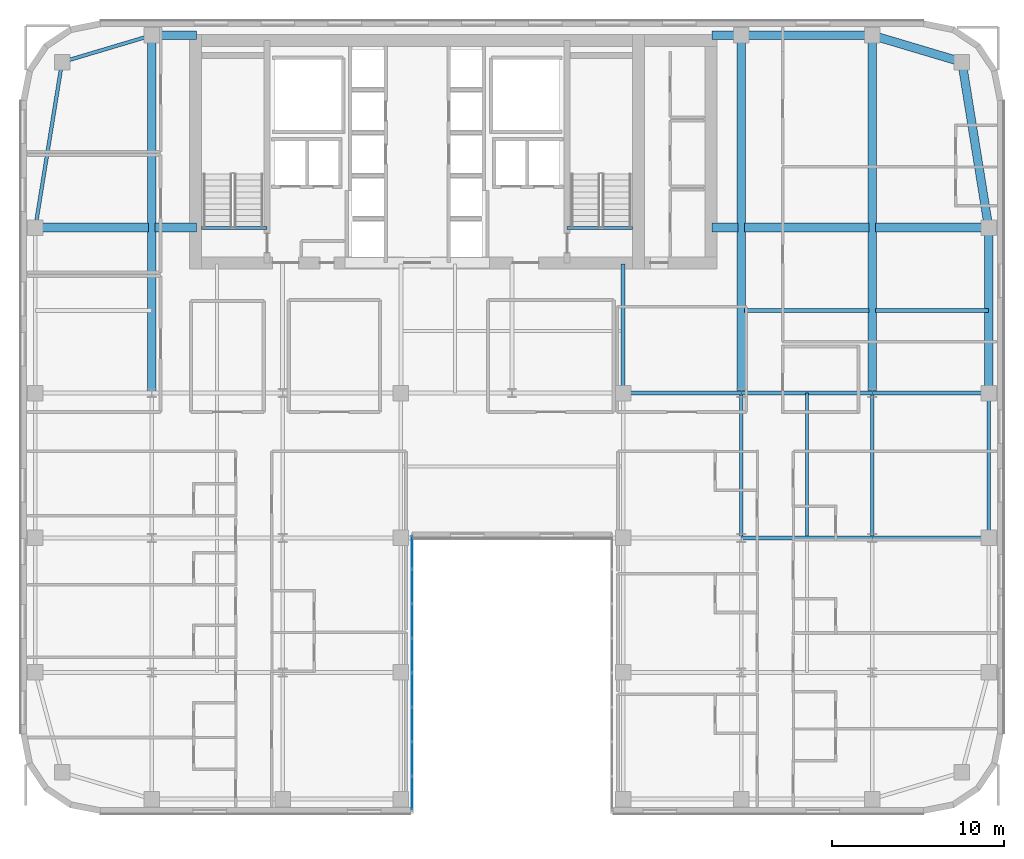
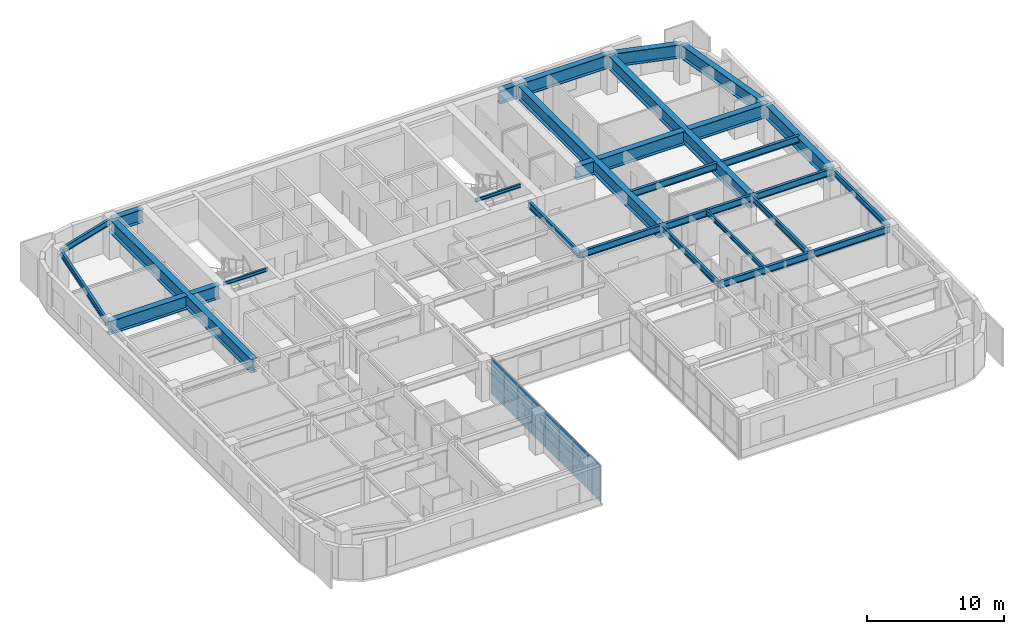
# One storey, part 12 of 25: 30 beams, 16 plates, 1 element without a shape of its own.
"""IFC4 building model written with IfcOpenShell, lengths in metres."""

import ifcopenshell
import ifcopenshell.guid

model = None  # the IFC model being written
_history = None  # IfcOwnerHistory: only IFC2X3 demands one
_inside = {}  # id of a spatial element -> (the spatial element, [elements in it])
_under = {}  # id of a project, library or spatial element -> (it, [spatial elements below it])
_declared = {}  # id of a project -> (the project, [libraries it declares])
_typed = {}  # id of a type object -> (the type object, [elements of that type])
_made_of = {}  # id of a material, layer set ... -> (it, [elements and type objects made of it])


def new_model(schema):
    """Start an empty IFC model of exactly this schema.

    Asked for "IFC4X3", IfcOpenShell would pick the latest addendum, in which some entities
    have other attributes; the version numbers below select the first issue.
    IFC2X3 requires an IfcOwnerHistory on every rooted entity: one is made here for all.
    """
    global model, _history
    if schema == "IFC4X3":
        model = ifcopenshell.file(schema_version=(4, 3, 0, 0))
    else:
        model = ifcopenshell.file(schema=schema)
    _inside.clear()
    _under.clear()
    _declared.clear()
    _typed.clear()
    _made_of.clear()
    _history = None
    if model.schema == "IFC2X3":
        org = make("IfcOrganization", Name="unknown")
        user = make(
            "IfcPersonAndOrganization",
            ThePerson=make("IfcPerson", FamilyName="unknown"),
            TheOrganization=org,
        )
        app = make(
            "IfcApplication",
            ApplicationDeveloper=org,
            Version="unknown",
            ApplicationFullName="unknown",
            ApplicationIdentifier="unknown",
        )
        _history = make(
            "IfcOwnerHistory",
            OwningUser=user,
            OwningApplication=app,
            ChangeAction="ADDED",
            CreationDate=0,
        )
    return model


def make(cls, **values):
    """One entity of the class cls with the attributes given. An attribute that is None is left unset."""
    return model.create_entity(
        cls, **{name: value for name, value in values.items() if value is not None}
    )


def rooted(cls, **values):
    """An entity with a GlobalId (a new one), such as an element, a storey or a relation."""
    return make(cls, GlobalId=ifcopenshell.guid.new(), OwnerHistory=_history, **values)


def si_unit(unit_type, name, prefix=None):
    """IfcSIUnit, for example si_unit("LENGTHUNIT", "METRE", prefix="MILLI")."""
    return make("IfcSIUnit", UnitType=unit_type, Prefix=prefix, Name=name)


def assignment(units):
    """IfcUnitAssignment: the units of a project."""
    return None if units is None else make("IfcUnitAssignment", Units=units)


def point(xyz):
    """IfcCartesianPoint."""
    return None if xyz is None else make("IfcCartesianPoint", Coordinates=xyz)


def direction(xyz):
    """IfcDirection."""
    return None if xyz is None else make("IfcDirection", DirectionRatios=xyz)


def frame(location, z_axis=None, x_axis=None):
    """IfcAxis2Placement3D, a coordinate frame: its origin and axes. An axis left out is left unset."""
    return make(
        "IfcAxis2Placement3D",
        Location=point(location),
        Axis=direction(z_axis),
        RefDirection=direction(x_axis),
    )


def frame_2d(location, x_axis=None):
    """IfcAxis2Placement2D, a coordinate frame in the plane: its origin and x axis."""
    return make(
        "IfcAxis2Placement2D", Location=point(location), RefDirection=direction(x_axis)
    )


def origin():
    """The frame at (0, 0, 0) with its axes left unset."""
    return frame((0.0, 0.0, 0.0))


def origin_2d():
    """The frame at (0, 0) in the plane with its x axis left unset."""
    return frame_2d((0.0, 0.0))


def place(relative_to, where):
    """IfcLocalPlacement: puts the frame where relative to a parent placement (None: the world)."""
    return make(
        "IfcLocalPlacement", PlacementRelTo=relative_to, RelativePlacement=where
    )


def context(
    kind, dimensions, precision=None, world=None, true_north=None, identifier=None
):
    """IfcGeometricRepresentationContext, for example the 3D "Model" context."""
    return make(
        "IfcGeometricRepresentationContext",
        ContextIdentifier=identifier,
        ContextType=kind,
        CoordinateSpaceDimension=dimensions,
        Precision=precision,
        WorldCoordinateSystem=world,
        TrueNorth=true_north,
    )


def subcontext(parent, identifier, kind, view, scale=None):
    """IfcGeometricRepresentationSubContext, for example "Body" below "Model"."""
    return make(
        "IfcGeometricRepresentationSubContext",
        ContextIdentifier=identifier,
        ContextType=kind,
        ParentContext=parent,
        TargetScale=scale,
        TargetView=view,
    )


def project(units=None, contexts=None):
    """IfcProject with its units and contexts."""
    return rooted(
        "IfcProject",
        Name="project",
        RepresentationContexts=contexts,
        UnitsInContext=assignment(units),
    )


def spatial(cls, under=None, at=None, **own):
    """A site, building, storey or space (cls), placed at a placement, below another one or the project."""
    s = rooted(cls, ObjectPlacement=at, **own)
    if under is not None:
        _under.setdefault(under.id(), (under, []))[1].append(s)
    return s


def profile(cls, at=None, kind="AREA", **sizes):
    """A parametric profile (cls). Its sizes go by their IFC names, for example OverallWidth=200.0."""
    return make(cls, ProfileType=kind, Position=at, **sizes)


def rectangle(**sizes):
    """IfcRectangleProfileDef."""
    return profile("IfcRectangleProfileDef", **sizes)


def i_section(**sizes):
    """IfcIShapeProfileDef."""
    return profile("IfcIShapeProfileDef", **sizes)


def extrude(swept, where, along, depth):
    """IfcExtrudedAreaSolid: the profile swept, set in the frame where, extruded along a direction by depth."""
    return make(
        "IfcExtrudedAreaSolid",
        SweptArea=swept,
        Position=where,
        ExtrudedDirection=direction(along),
        Depth=depth,
    )


def shape(context_of_items, identifier, shape_type, items):
    """IfcShapeRepresentation: the items that make up one representation, for example the "Body"."""
    return make(
        "IfcShapeRepresentation",
        ContextOfItems=context_of_items,
        RepresentationIdentifier=identifier,
        RepresentationType=shape_type,
        Items=items,
    )


def source(mapping_origin, context_of_items, identifier, shape_type, items):
    """IfcRepresentationMap: a shape defined once, which mapped items show again and again."""
    return make(
        "IfcRepresentationMap",
        MappingOrigin=mapping_origin,
        MappedRepresentation=shape(context_of_items, identifier, shape_type, items),
    )


def transform(
    local_origin,
    x_axis=None,
    y_axis=None,
    z_axis=None,
    scale=None,
    scale2=None,
    scale3=None,
    uniform=True,
):
    """IfcCartesianTransformationOperator3D, or its non-uniform kind. x_axis, y_axis, z_axis: its Axis1, 2, 3."""
    if uniform:
        return make(
            "IfcCartesianTransformationOperator3D",
            Axis1=direction(x_axis),
            Axis2=direction(y_axis),
            LocalOrigin=point(local_origin),
            Scale=scale,
            Axis3=direction(z_axis),
        )
    return make(
        "IfcCartesianTransformationOperator3DnonUniform",
        Axis1=direction(x_axis),
        Axis2=direction(y_axis),
        LocalOrigin=point(local_origin),
        Scale=scale,
        Axis3=direction(z_axis),
        Scale2=scale2,
        Scale3=scale3,
    )


def mapped(mapping_source, mapping_target):
    """IfcMappedItem: shows the shape of a source again, moved by a transform."""
    return make(
        "IfcMappedItem", MappingSource=mapping_source, MappingTarget=mapping_target
    )


def material(Name=None, Category=None):
    """IfcMaterial."""
    return make("IfcMaterial", Name=Name, Category=Category)


def layer(
    of_material, thickness, ventilated=None, Name=None, Category=None, Priority=None
):
    """IfcMaterialLayer: one layer of a wall or slab, of a material (None: an air gap)."""
    return make(
        "IfcMaterialLayer",
        Material=of_material,
        LayerThickness=thickness,
        IsVentilated=ventilated,
        Name=Name,
        Category=Category,
        Priority=Priority,
    )


def layer_set(layers, Name=None):
    """IfcMaterialLayerSet."""
    return make("IfcMaterialLayerSet", MaterialLayers=layers, LayerSetName=Name)


def material_profile(
    of_material, cross_section, Name=None, Category=None, Priority=None
):
    """IfcMaterialProfile: a cross section and its material."""
    return make(
        "IfcMaterialProfile",
        Name=Name,
        Material=of_material,
        Profile=cross_section,
        Priority=Priority,
        Category=Category,
    )


def profile_set(profiles, Name=None, composite=None):
    """IfcMaterialProfileSet."""
    return make(
        "IfcMaterialProfileSet",
        Name=Name,
        MaterialProfiles=profiles,
        CompositeProfile=composite,
    )


def made_of(thing, what):
    """Note that an element or type object is made of a material, layer set ...; save() writes the relation."""
    if what is not None:
        _made_of.setdefault(what.id(), (what, []))[1].append(thing)
    return thing


def type_object(cls, material=None, **own):
    """A type object (cls), such as IfcWallType, which elements share."""
    return made_of(rooted(cls, **own), material)


def type_shapes(of_type, sources):
    """Give a type object the sources (RepresentationMaps) that its elements show as mapped items."""
    of_type.RepresentationMaps = sources


def element(
    cls,
    number,
    at=None,
    inside=None,
    cuts=None,
    type_object=None,
    material=None,
    context=None,
    identifier="Body",
    shape_type=None,
    held_by="IfcProductDefinitionShape",
    body=None,
    shapes=None,
    **own,
):
    """One element of the class cls, such as IfcWall. Its Tag is "e" and its number.

    at: its placement. inside: the storey or other place that contains it. cuts: it is an
    opening in that element (IfcRelVoidsElement). A single representation is given by context,
    identifier, shape_type and body (its items); several are given by shapes. held_by: the class
    of the entity that holds the representations. save() writes the other relations.
    """
    e = rooted(cls, Tag="e%d" % number, ObjectPlacement=at, **own)
    if body is not None:
        shapes = [shape(context, identifier, shape_type, body)]
    if shapes is not None:
        e.Representation = make(held_by, Representations=shapes)
    if inside is not None:
        _inside.setdefault(inside.id(), (inside, []))[1].append(e)
    if cuts is not None:
        rooted(
            "IfcRelVoidsElement", RelatingBuildingElement=cuts, RelatedOpeningElement=e
        )
    if type_object is not None:
        _typed.setdefault(type_object.id(), (type_object, []))[1].append(e)
    return made_of(e, material)


def aggregate(whole, parts):
    """IfcRelAggregates: a whole, such as a stair, and the parts it consists of."""
    return rooted("IfcRelAggregates", RelatingObject=whole, RelatedObjects=parts)


def save(model, path):
    """Write the relations noted so far, then the file.

    IfcRelAggregates (storeys below a building ...), IfcRelContainedInSpatialStructure (elements
    in a storey), IfcRelDefinesByType, IfcRelAssociatesMaterial and IfcRelDeclares: one each for
    every whole, place, type object, material and project.
    """
    for whole, parts in _under.values():
        aggregate(whole, parts)
    for where, things in _inside.values():
        rooted(
            "IfcRelContainedInSpatialStructure",
            RelatedElements=things,
            RelatingStructure=where,
        )
    for kind, things in _typed.values():
        rooted("IfcRelDefinesByType", RelatedObjects=things, RelatingType=kind)
    for what, things in _made_of.values():
        rooted("IfcRelAssociatesMaterial", RelatedObjects=things, RelatingMaterial=what)
    for by, libraries in _declared.values():
        rooted("IfcRelDeclares", RelatingContext=by, RelatedDefinitions=libraries)
    model.write(path)


model = new_model("IFC4")

# Units and contexts
model_context = context("Model", 3, precision=1e-05, world=origin(), true_north=direction((0.0, 1.0)))
body_context = subcontext(model_context, "Body", "Model", "MODEL_VIEW")
ifc_project = project(units=[si_unit("LENGTHUNIT", "METRE"), si_unit("AREAUNIT", "SQUARE_METRE"), si_unit("VOLUMEUNIT", "CUBIC_METRE"), si_unit("PLANEANGLEUNIT", "RADIAN"), si_unit("MASSUNIT", "GRAM", prefix="KILO")], contexts=[model_context])

# Site, building, storey
site_placement = place(None, origin())
site = spatial("IfcSite", under=ifc_project, at=site_placement, CompositionType="ELEMENT")
building_placement = place(site_placement, origin())
building = spatial("IfcBuilding", under=site, at=building_placement, Name="Tolvann Quenvar Hotel", CompositionType="ELEMENT")
storey_placement = place(building_placement, frame((0.0, 0.0, 111.550048828125)))
storey = spatial("IfcBuildingStorey", under=building, at=storey_placement, Name="L28", CompositionType="ELEMENT", Elevation=111.550048828125)

# Beams
ifc_material_1 = material(Name="Steel Grade 350", Category="steel")
ifc_material_profile_1 = material_profile(ifc_material_1, i_section(OverallWidth=0.5, OverallDepth=1.199951171875, WebThickness=0.01611328125, FlangeThickness=0.0400390625, at=origin_2d()), Name="1200WB455")
ifc_profile_set_1 = profile_set([ifc_material_profile_1], Name="Steel Grade 350")
beam_type_1 = type_object("IfcBeamType", Name="BM_TG_1200WB455", PredefinedType="USERDEFINED", material=ifc_profile_set_1)
shared_shape_1 = source(origin(), body_context, "Body", "SweptSolid", [
    extrude(i_section(OverallWidth=0.5, OverallDepth=1.199951171875, WebThickness=0.01611328125, FlangeThickness=0.0400390625, at=origin_2d()), origin(), (0.0, 0.0, 1.0), 7.599853515625),
])
beam_1_placement = place(storey_placement, frame((49.39990234375, 45.14990234375, 2.77001953125), z_axis=(-1.0, 0.0, 0.0), x_axis=(0.0, -1.0, 0.0)))
element("IfcBeam", 1, at=beam_1_placement, inside=storey, type_object=beam_type_1, Name="BM-L28-FLK-E4", ObjectType="TRANSFER GIRDER", PredefinedType="USERDEFINED", context=body_context, shape_type="MappedRepresentation", body=[
    mapped(shared_shape_1, transform((0.0, 0.0, 0.0), x_axis=(1.0, 0.0, 0.0), y_axis=(0.0, 1.0, 0.0), z_axis=(0.0, 0.0, 1.0), scale=1.0)),
])
shared_shape_2 = source(origin(), body_context, "Body", "SweptSolid", [
    extrude(i_section(OverallWidth=0.5, OverallDepth=1.199951171875, WebThickness=0.01611328125, FlangeThickness=0.0400390625, at=origin_2d()), origin(), (0.0, 0.0, 1.0), 9.60009765625),
])
beam_2_placement = place(storey_placement, frame((56.14990234375, 24.39990234375, 2.77001953125), z_axis=(0.0, 1.0, 0.0), x_axis=(-1.0, 0.0, 0.0)))
element("IfcBeam", 2, at=beam_2_placement, inside=storey, type_object=beam_type_1, Name="BM-L28-FLK-E1", ObjectType="TRANSFER GIRDER", PredefinedType="USERDEFINED", context=body_context, shape_type="MappedRepresentation", body=[
    mapped(shared_shape_2, transform((0.0, 0.0, 0.0), x_axis=(1.0, 0.0, 0.0), y_axis=(0.0, 1.0, 0.0), z_axis=(0.0, 0.0, 1.0), scale=1.0)),
])
ifc_material_profile_2 = material_profile(ifc_material_1, i_section(OverallWidth=0.208984375, OverallDepth=0.528076171875, WebThickness=0.009521484375, FlangeThickness=0.01318359375, FilletRadius=0.013916015625, at=origin_2d()), Name="530UB82")
ifc_profile_set_2 = profile_set([ifc_material_profile_2], Name="Steel Grade 350")
beam_type_2 = type_object("IfcBeamType", Name="BM_SPAND_530UB82", PredefinedType="SPANDREL", material=ifc_profile_set_2)
shared_shape_3 = source(origin(), body_context, "Body", "SweptSolid", [
    extrude(i_section(OverallWidth=0.208984375, OverallDepth=0.528076171875, WebThickness=0.009521484375, FlangeThickness=0.01318359375, FilletRadius=0.013916015625, at=origin_2d()), origin(), (0.0, 0.0, 1.0), 5.42626953125),
])
beam_3_placement = place(storey_placement, frame((2.39990234375, 43.60009765625, 3.10595703125), z_axis=(0.958344815522, 0.285613750654, 0.0), x_axis=(-0.285613750654, 0.958344815522, 0.0)))
element("IfcBeam", 3, at=beam_3_placement, inside=storey, type_object=beam_type_2, Name="BM-L28-FLK-W3", PredefinedType="SPANDREL", context=body_context, shape_type="MappedRepresentation", body=[
    mapped(shared_shape_3, transform((0.0, 0.0, 0.0), x_axis=(1.0, 0.0, 0.0), y_axis=(0.0, 1.0, 0.0), z_axis=(0.0, 0.0, 1.0), scale=1.0)),
])
ifc_material_profile_3 = material_profile(ifc_material_1, i_section(OverallWidth=0.22900390625, OverallDepth=0.612060546875, WebThickness=0.011962890625, FlangeThickness=0.01953125, FilletRadius=0.013916015625, at=origin_2d()), Name="610UB125")
ifc_profile_set_3 = profile_set([ifc_material_profile_3], Name="Steel Grade 350")
beam_type_3 = type_object("IfcBeamType", Name="BM_GIRD_610UB125", PredefinedType="BEAM", material=ifc_profile_set_3)
shared_shape_4 = source(origin(), body_context, "Body", "SweptSolid", [
    extrude(i_section(OverallWidth=0.22900390625, OverallDepth=0.612060546875, WebThickness=0.011962890625, FlangeThickness=0.01953125, FilletRadius=0.013916015625, at=origin_2d()), origin(), (0.0, 0.0, 1.0), 6.75),
])
for number, where, z_axis, x_axis, name in (
    (4, (49.39990234375, 16.0, 3.06396484375), (1.0, 0.0, 0.0), (0.0, 1.0, 0.0), "BM-L28-EW-4-I4-J4"),
    (5, (49.39990234375, 24.39990234375, 3.06396484375), (1.0, 0.0, 0.0), (0.0, 1.0, 0.0), "BM-L28-EW-5-I5-J5"),
):
    element("IfcBeam", number, at=place(storey_placement, frame(where, z_axis=z_axis, x_axis=x_axis)), inside=storey, type_object=beam_type_3, Name=name, PredefinedType="BEAM", context=body_context, shape_type="MappedRepresentation", body=[
        mapped(shared_shape_4, transform((0.0, 0.0, 0.0), x_axis=(1.0, 0.0, 0.0), y_axis=(0.0, 1.0, 0.0), z_axis=(0.0, 0.0, 1.0), scale=1.0)),
    ])
shared_shape_5 = source(origin(), body_context, "Body", "SweptSolid", [
    extrude(i_section(OverallWidth=0.22900390625, OverallDepth=0.612060546875, WebThickness=0.011962890625, FlangeThickness=0.01953125, FilletRadius=0.013916015625, at=origin_2d()), origin(), (0.0, 0.0, 1.0), 7.599853515625),
])
for number, where, z_axis, x_axis, name in (
    (6, (41.800048828125, 16.0, 3.06396484375), (1.0, 0.0, 0.0), (0.0, 1.0, 0.0), "BM-L28-EW-4-H4-I4"),
    (7, (41.800048828125, 24.39990234375, 3.06396484375), (1.0, 0.0, 0.0), (0.0, 1.0, 0.0), "BM-L28-EW-5-H5-I5"),
):
    element("IfcBeam", number, at=place(storey_placement, frame(where, z_axis=z_axis, x_axis=x_axis)), inside=storey, type_object=beam_type_3, Name=name, PredefinedType="BEAM", context=body_context, shape_type="MappedRepresentation", body=[
        mapped(shared_shape_5, transform((0.0, 0.0, 0.0), x_axis=(1.0, 0.0, 0.0), y_axis=(0.0, 1.0, 0.0), z_axis=(0.0, 0.0, 1.0), scale=1.0)),
    ])
shared_shape_6 = source(origin(), body_context, "Body", "SweptSolid", [
    extrude(i_section(OverallWidth=0.22900390625, OverallDepth=0.612060546875, WebThickness=0.011962890625, FlangeThickness=0.01953125, FilletRadius=0.013916015625, at=origin_2d()), origin(), (0.0, 0.0, 1.0), 6.85009765625),
])
beam_4_placement = place(storey_placement, frame((34.949951171875, 24.39990234375, 3.06396484375), z_axis=(1.0, 0.0, 0.0), x_axis=(0.0, 1.0, 0.0)))
element("IfcBeam", 8, at=beam_4_placement, inside=storey, type_object=beam_type_3, Name="BM-L28-EW-5-F5-H5", PredefinedType="BEAM", context=body_context, shape_type="MappedRepresentation", body=[
    mapped(shared_shape_6, transform((0.0, 0.0, 0.0), x_axis=(1.0, 0.0, 0.0), y_axis=(0.0, 1.0, 0.0), z_axis=(0.0, 0.0, 1.0), scale=1.0)),
])
shared_shape_7 = source(origin(), body_context, "Body", "SweptSolid", [
    extrude(i_section(OverallWidth=0.208984375, OverallDepth=0.528076171875, WebThickness=0.009521484375, FlangeThickness=0.01318359375, FilletRadius=0.013916015625, at=origin_2d()), origin(), (0.0, 0.0, 1.0), 8.39990234375),
])
beam_5_placement = place(storey_placement, frame((56.14990234375, 16.0, 3.10595703125), z_axis=(0.0, 1.0, 0.0), x_axis=(-1.0, 0.0, 0.0)))
element("IfcBeam", 9, at=beam_5_placement, inside=storey, type_object=beam_type_2, Name="BM-L28-NS-J4-J5", PredefinedType="SPANDREL", context=body_context, shape_type="MappedRepresentation", body=[
    mapped(shared_shape_7, transform((0.0, 0.0, 0.0), x_axis=(1.0, 0.0, 0.0), y_axis=(0.0, 1.0, 0.0), z_axis=(0.0, 0.0, 1.0), scale=1.0)),
])
ifc_material_profile_4 = material_profile(ifc_material_1, i_section(OverallWidth=0.208984375, OverallDepth=0.532958984375, WebThickness=0.01025390625, FlangeThickness=0.015625, FilletRadius=0.013916015625, at=origin_2d()), Name="530UB92")
ifc_profile_set_4 = profile_set([ifc_material_profile_4], Name="Steel Grade 350")
beam_type_4 = type_object("IfcBeamType", Name="BM_GIRD_530UB92", PredefinedType="BEAM", material=ifc_profile_set_4)
shared_shape_8 = source(origin(), body_context, "Body", "SweptSolid", [
    extrude(i_section(OverallWidth=0.208984375, OverallDepth=0.532958984375, WebThickness=0.01025390625, FlangeThickness=0.015625, FilletRadius=0.013916015625, at=origin_2d()), origin(), (0.0, 0.0, 1.0), 8.39990234375),
])
type_shapes(beam_type_4, [shared_shape_8])
for number, where, z_axis, x_axis, name in (
    (10, (41.800048828125, 16.0, 3.103515625), (0.0, 1.0, 0.0), (-1.0, 0.0, 0.0), "BM-L28-NS-H4-H5"),
    (11, (49.39990234375, 16.0, 3.103515625), (0.0, 1.0, 0.0), (-1.0, 0.0, 0.0), "BM-L28-NS-I4-I5"),
):
    element("IfcBeam", number, at=place(storey_placement, frame(where, z_axis=z_axis, x_axis=x_axis)), inside=storey, type_object=beam_type_4, Name=name, PredefinedType="BEAM", context=body_context, shape_type="MappedRepresentation", body=[
        mapped(shared_shape_8, transform((0.0, 0.0, 0.0), x_axis=(1.0, 0.0, 0.0), y_axis=(0.0, 1.0, 0.0), z_axis=(0.0, 0.0, 1.0), scale=1.0)),
    ])
shared_shape_9 = source(origin(), body_context, "Body", "SweptSolid", [
    extrude(i_section(OverallWidth=0.22900390625, OverallDepth=0.612060546875, WebThickness=0.011962890625, FlangeThickness=0.01953125, FilletRadius=0.013916015625, at=origin_2d()), origin(), (0.0, 0.0, 1.0), 7.5),
])
beam_6_placement = place(storey_placement, frame((34.949951171875, 24.39990234375, 3.06396484375), z_axis=(0.0, 1.0, 0.0), x_axis=(-1.0, 0.0, 0.0)))
element("IfcBeam", 12, at=beam_6_placement, inside=storey, type_object=beam_type_3, Name="BM-L28-CORE-F5", PredefinedType="BEAM", context=body_context, shape_type="MappedRepresentation", body=[
    mapped(shared_shape_9, transform((0.0, 0.0, 0.0), x_axis=(1.0, 0.0, 0.0), y_axis=(0.0, 1.0, 0.0), z_axis=(0.0, 0.0, 1.0), scale=1.0)),
])
shared_shape_10 = source(origin(), body_context, "Body", "SweptSolid", [
    extrude(i_section(OverallWidth=0.208984375, OverallDepth=0.528076171875, WebThickness=0.009521484375, FlangeThickness=0.01318359375, FilletRadius=0.013916015625, at=origin_2d()), origin(), (0.0, 0.0, 1.0), 9.724365234375),
])
type_shapes(beam_type_2, [shared_shape_3, shared_shape_7, shared_shape_10])
beam_7_placement = place(storey_placement, frame((0.85009765625, 34.0, 3.10595703125), z_axis=(0.159372939192, 0.987218449105, 0.0), x_axis=(-0.987218449105, 0.159372939192, 0.0)))
element("IfcBeam", 13, at=beam_7_placement, inside=storey, type_object=beam_type_2, Name="BM-L28-FLK-W2", PredefinedType="SPANDREL", context=body_context, shape_type="MappedRepresentation", body=[
    mapped(shared_shape_10, transform((0.0, 0.0, 0.0), x_axis=(1.0, 0.0, 0.0), y_axis=(0.0, 1.0, 0.0), z_axis=(0.0, 0.0, 1.0), scale=1.0)),
])
shared_shape_11 = source(origin(), body_context, "Body", "SweptSolid", [
    extrude(i_section(OverallWidth=0.5, OverallDepth=1.199951171875, WebThickness=0.01611328125, FlangeThickness=0.0400390625, at=origin_2d()), origin(), (0.0, 0.0, 1.0), 20.75),
])
for number, where, z_axis, x_axis, name in (
    (14, (7.60009765625, 24.39990234375, 2.77001953125), (0.0, 1.0, 0.0), (-1.0, 0.0, 0.0), "BM-L28-FLK-WC"),
    (15, (41.800048828125, 24.39990234375, 2.77001953125), (0.0, 1.0, 0.0), (-1.0, 0.0, 0.0), "BM-L28-FLK-EH"),
    (16, (49.39990234375, 24.39990234375, 2.77001953125), (0.0, 1.0, 0.0), (-1.0, 0.0, 0.0), "BM-L28-FLK-EI"),
):
    element("IfcBeam", number, at=place(storey_placement, frame(where, z_axis=z_axis, x_axis=x_axis)), inside=storey, type_object=beam_type_1, Name=name, ObjectType="TRANSFER GIRDER", PredefinedType="USERDEFINED", context=body_context, shape_type="MappedRepresentation", body=[
        mapped(shared_shape_11, transform((0.0, 0.0, 0.0), x_axis=(1.0, 0.0, 0.0), y_axis=(0.0, 1.0, 0.0), z_axis=(0.0, 0.0, 1.0), scale=1.0)),
    ])
shared_shape_12 = source(origin(), body_context, "Body", "SweptSolid", [
    extrude(i_section(OverallWidth=0.5, OverallDepth=1.199951171875, WebThickness=0.01611328125, FlangeThickness=0.0400390625, at=origin_2d()), origin(), (0.0, 0.0, 1.0), 6.56982421875),
])
for number, where, z_axis, x_axis, name in (
    (17, (0.85009765625, 34.0, 2.77001953125), (1.0, 0.0, 0.0), (0.0, 1.0, 0.0), "BM-L28-CTW-MID1"),
    (18, (49.580078125, 34.0, 2.77001953125), (1.0, 0.0, 0.0), (0.0, 1.0, 0.0), "BM-L28-CTE-JD6C"),
):
    element("IfcBeam", number, at=place(storey_placement, frame(where, z_axis=z_axis, x_axis=x_axis)), inside=storey, type_object=beam_type_1, Name=name, ObjectType="TRANSFER GIRDER", PredefinedType="USERDEFINED", context=body_context, shape_type="MappedRepresentation", body=[
        mapped(shared_shape_12, transform((0.0, 0.0, 0.0), x_axis=(1.0, 0.0, 0.0), y_axis=(0.0, 1.0, 0.0), z_axis=(0.0, 0.0, 1.0), scale=1.0)),
    ])
shared_shape_13 = source(origin(), body_context, "Body", "SweptSolid", [
    extrude(i_section(OverallWidth=0.5, OverallDepth=1.199951171875, WebThickness=0.01611328125, FlangeThickness=0.0400390625, at=origin_2d()), origin(), (0.0, 0.0, 1.0), 2.419921875),
])
beam_8_placement = place(storey_placement, frame((7.780029296875, 34.0, 2.77001953125), z_axis=(1.0, 0.0, 0.0), x_axis=(0.0, 1.0, 0.0)))
element("IfcBeam", 19, at=beam_8_placement, inside=storey, type_object=beam_type_1, Name="BM-L28-CTW-MID2", ObjectType="TRANSFER GIRDER", PredefinedType="USERDEFINED", context=body_context, shape_type="MappedRepresentation", body=[
    mapped(shared_shape_13, transform((0.0, 0.0, 0.0), x_axis=(1.0, 0.0, 0.0), y_axis=(0.0, 1.0, 0.0), z_axis=(0.0, 0.0, 1.0), scale=1.0)),
])
shared_shape_14 = source(origin(), body_context, "Body", "SweptSolid", [
    extrude(i_section(OverallWidth=0.5, OverallDepth=1.199951171875, WebThickness=0.01611328125, FlangeThickness=0.0400390625, at=origin_2d()), origin(), (0.0, 0.0, 1.0), 2.599853515625),
])
beam_9_placement = place(storey_placement, frame((7.60009765625, 45.14990234375, 2.77001953125), z_axis=(1.0, 0.0, 0.0), x_axis=(0.0, 1.0, 0.0)))
element("IfcBeam", 20, at=beam_9_placement, inside=storey, type_object=beam_type_1, Name="BM-L28-CTW-CN", ObjectType="TRANSFER GIRDER", PredefinedType="USERDEFINED", context=body_context, shape_type="MappedRepresentation", body=[
    mapped(shared_shape_14, transform((0.0, 0.0, 0.0), x_axis=(1.0, 0.0, 0.0), y_axis=(0.0, 1.0, 0.0), z_axis=(0.0, 0.0, 1.0), scale=1.0)),
])
shared_shape_15 = source(origin(), body_context, "Body", "SweptSolid", [
    extrude(i_section(OverallWidth=0.5, OverallDepth=1.199951171875, WebThickness=0.01611328125, FlangeThickness=0.0400390625, at=origin_2d()), origin(), (0.0, 0.0, 1.0), 9.724365234375),
])
beam_10_placement = place(storey_placement, frame((56.14990234375, 34.0, 2.77001953125), z_axis=(-0.159372939192, 0.987218449105, 0.0), x_axis=(-0.987218449105, -0.159372939192, 0.0)))
element("IfcBeam", 21, at=beam_10_placement, inside=storey, type_object=beam_type_1, Name="BM-L28-FLK-E2", ObjectType="TRANSFER GIRDER", PredefinedType="USERDEFINED", context=body_context, shape_type="MappedRepresentation", body=[
    mapped(shared_shape_15, transform((0.0, 0.0, 0.0), x_axis=(1.0, 0.0, 0.0), y_axis=(0.0, 1.0, 0.0), z_axis=(0.0, 0.0, 1.0), scale=1.0)),
])
shared_shape_16 = source(origin(), body_context, "Body", "SweptSolid", [
    extrude(i_section(OverallWidth=0.5, OverallDepth=1.199951171875, WebThickness=0.01611328125, FlangeThickness=0.0400390625, at=origin_2d()), origin(), (0.0, 0.0, 1.0), 5.42626953125),
])
beam_11_placement = place(storey_placement, frame((54.60009765625, 43.60009765625, 2.77001953125), z_axis=(-0.958344815522, 0.285613750654, 0.0), x_axis=(-0.285613750654, -0.958344815522, 0.0)))
element("IfcBeam", 22, at=beam_11_placement, inside=storey, type_object=beam_type_1, Name="BM-L28-FLK-E3", ObjectType="TRANSFER GIRDER", PredefinedType="USERDEFINED", context=body_context, shape_type="MappedRepresentation", body=[
    mapped(shared_shape_16, transform((0.0, 0.0, 0.0), x_axis=(1.0, 0.0, 0.0), y_axis=(0.0, 1.0, 0.0), z_axis=(0.0, 0.0, 1.0), scale=1.0)),
])
shared_shape_17 = source(origin(), body_context, "Body", "SweptSolid", [
    extrude(i_section(OverallWidth=0.5, OverallDepth=1.199951171875, WebThickness=0.01611328125, FlangeThickness=0.0400390625, at=origin_2d()), origin(), (0.0, 0.0, 1.0), 1.699951171875),
])
beam_12_placement = place(storey_placement, frame((40.10009765625, 45.14990234375, 2.77001953125), z_axis=(1.0, 0.0, 0.0), x_axis=(0.0, 1.0, 0.0)))
element("IfcBeam", 23, at=beam_12_placement, inside=storey, type_object=beam_type_1, Name="BM-L28-CTE-HN", ObjectType="TRANSFER GIRDER", PredefinedType="USERDEFINED", context=body_context, shape_type="MappedRepresentation", body=[
    mapped(shared_shape_17, transform((0.0, 0.0, 0.0), x_axis=(1.0, 0.0, 0.0), y_axis=(0.0, 1.0, 0.0), z_axis=(0.0, 0.0, 1.0), scale=1.0)),
])
shared_shape_18 = source(origin(), body_context, "Body", "SweptSolid", [
    extrude(i_section(OverallWidth=0.5, OverallDepth=1.199951171875, WebThickness=0.01611328125, FlangeThickness=0.0400390625, at=origin_2d()), origin(), (0.0, 0.0, 1.0), 1.52001953125),
])
beam_13_placement = place(storey_placement, frame((40.10009765625, 34.0, 2.77001953125), z_axis=(1.0, 0.0, 0.0), x_axis=(0.0, 1.0, 0.0)))
element("IfcBeam", 24, at=beam_13_placement, inside=storey, type_object=beam_type_1, Name="BM-L28-CTE-JD6A", ObjectType="TRANSFER GIRDER", PredefinedType="USERDEFINED", context=body_context, shape_type="MappedRepresentation", body=[
    mapped(shared_shape_18, transform((0.0, 0.0, 0.0), x_axis=(1.0, 0.0, 0.0), y_axis=(0.0, 1.0, 0.0), z_axis=(0.0, 0.0, 1.0), scale=1.0)),
])
shared_shape_19 = source(origin(), body_context, "Body", "SweptSolid", [
    extrude(i_section(OverallWidth=0.5, OverallDepth=1.199951171875, WebThickness=0.01611328125, FlangeThickness=0.0400390625, at=origin_2d()), origin(), (0.0, 0.0, 1.0), 7.239990234375),
])
type_shapes(beam_type_1, [shared_shape_1, shared_shape_2, shared_shape_11, shared_shape_12, shared_shape_13, shared_shape_14, shared_shape_15, shared_shape_16, shared_shape_17, shared_shape_18, shared_shape_19])
beam_14_placement = place(storey_placement, frame((41.97998046875, 34.0, 2.77001953125), z_axis=(1.0, 0.0, 0.0), x_axis=(0.0, 1.0, 0.0)))
element("IfcBeam", 25, at=beam_14_placement, inside=storey, type_object=beam_type_1, Name="BM-L28-CTE-JD6B", ObjectType="TRANSFER GIRDER", PredefinedType="USERDEFINED", context=body_context, shape_type="MappedRepresentation", body=[
    mapped(shared_shape_19, transform((0.0, 0.0, 0.0), x_axis=(1.0, 0.0, 0.0), y_axis=(0.0, 1.0, 0.0), z_axis=(0.0, 0.0, 1.0), scale=1.0)),
])
shared_shape_20 = source(origin(), body_context, "Body", "SweptSolid", [
    extrude(i_section(OverallWidth=0.22900390625, OverallDepth=0.612060546875, WebThickness=0.011962890625, FlangeThickness=0.01953125, FilletRadius=0.013916015625, at=origin_2d()), origin(), (0.0, 0.0, 1.0), 7.239990234375),
])
beam_15_placement = place(storey_placement, frame((41.97998046875, 29.199951171875, 3.06396484375), z_axis=(1.0, 0.0, 0.0), x_axis=(0.0, 1.0, 0.0)))
element("IfcBeam", 26, at=beam_15_placement, inside=storey, type_object=beam_type_3, Name="BM-L28-EW-HI29", PredefinedType="BEAM", context=body_context, shape_type="MappedRepresentation", body=[
    mapped(shared_shape_20, transform((0.0, 0.0, 0.0), x_axis=(1.0, 0.0, 0.0), y_axis=(0.0, 1.0, 0.0), z_axis=(0.0, 0.0, 1.0), scale=1.0)),
])
shared_shape_21 = source(origin(), body_context, "Body", "SweptSolid", [
    extrude(i_section(OverallWidth=0.22900390625, OverallDepth=0.612060546875, WebThickness=0.011962890625, FlangeThickness=0.01953125, FilletRadius=0.013916015625, at=origin_2d()), origin(), (0.0, 0.0, 1.0), 6.56982421875),
])
type_shapes(beam_type_3, [shared_shape_4, shared_shape_5, shared_shape_6, shared_shape_9, shared_shape_20, shared_shape_21])
beam_16_placement = place(storey_placement, frame((49.580078125, 29.199951171875, 3.06396484375), z_axis=(1.0, 0.0, 0.0), x_axis=(0.0, 1.0, 0.0)))
element("IfcBeam", 27, at=beam_16_placement, inside=storey, type_object=beam_type_3, Name="BM-L28-EW-IJ29", PredefinedType="BEAM", context=body_context, shape_type="MappedRepresentation", body=[
    mapped(shared_shape_21, transform((0.0, 0.0, 0.0), x_axis=(1.0, 0.0, 0.0), y_axis=(0.0, 1.0, 0.0), z_axis=(0.0, 0.0, 1.0), scale=1.0)),
])
ifc_material_profile_5 = material_profile(ifc_material_1, i_section(OverallWidth=0.177978515625, OverallDepth=0.406005859375, WebThickness=0.0078125, FlangeThickness=0.0126953125, FilletRadius=0.011474609375, at=origin_2d()), Name="410UB60")
ifc_profile_set_5 = profile_set([ifc_material_profile_5], Name="Steel Grade 350")
beam_type_5 = type_object("IfcBeamType", Name="BM_JOIST_410UB60", PredefinedType="JOIST", material=ifc_profile_set_5)
shared_shape_22 = source(origin(), body_context, "Body", "SweptSolid", [
    extrude(i_section(OverallWidth=0.177978515625, OverallDepth=0.406005859375, WebThickness=0.0078125, FlangeThickness=0.0126953125, FilletRadius=0.011474609375, at=origin_2d()), origin(), (0.0, 0.0, 1.0), 8.29150390625),
])
type_shapes(beam_type_5, [shared_shape_22])
beam_17_placement = place(storey_placement, frame((45.60009765625, 16.1083984375, 3.1669921875), z_axis=(0.0, 1.0, 0.0), x_axis=(-1.0, 0.0, 0.0)))
element("IfcBeam", 28, at=beam_17_placement, inside=storey, type_object=beam_type_5, Name="BJ-L28-456-160", PredefinedType="JOIST", context=body_context, shape_type="MappedRepresentation", body=[
    mapped(shared_shape_22, transform((0.0, 0.0, 0.0), x_axis=(1.0, 0.0, 0.0), y_axis=(0.0, 1.0, 0.0), z_axis=(0.0, 0.0, 1.0), scale=1.0)),
])
ifc_material_profile_6 = material_profile(ifc_material_1, i_section(OverallWidth=0.166015625, OverallDepth=0.306884765625, WebThickness=0.006591796875, FlangeThickness=0.01171875, FilletRadius=0.011474609375, at=origin_2d()), Name="310UB46")
ifc_profile_set_6 = profile_set([ifc_material_profile_6], Name="Steel Grade 350")
beam_type_6 = type_object("IfcBeamType", Name="BM_JOIST_310UB46", PredefinedType="JOIST", material=ifc_profile_set_6)
shared_shape_23 = source(origin(), body_context, "Body", "SweptSolid", [
    extrude(i_section(OverallWidth=0.166015625, OverallDepth=0.306884765625, WebThickness=0.006591796875, FlangeThickness=0.01171875, FilletRadius=0.011474609375, at=origin_2d()), origin(), (0.0, 0.0, 1.0), 3.800048828125),
])
type_shapes(beam_type_6, [shared_shape_23])
for number, where, z_axis, x_axis, name in (
    (29, (10.5, 33.97998046875, 3.216552734375), (1.0, 0.0, 0.0), (0.0, 1.0, 0.0), "BM-HDR-STC1-L29"),
    (30, (31.699951171875, 33.97998046875, 3.216552734375), (1.0, 0.0, 0.0), (0.0, 1.0, 0.0), "BM-HDR-STC2-L29"),
):
    element("IfcBeam", number, at=place(storey_placement, frame(where, z_axis=z_axis, x_axis=x_axis)), inside=storey, type_object=beam_type_6, Name=name, PredefinedType="JOIST", context=body_context, shape_type="MappedRepresentation", body=[
        mapped(shared_shape_23, transform((0.0, 0.0, 0.0), x_axis=(1.0, 0.0, 0.0), y_axis=(0.0, 1.0, 0.0), z_axis=(0.0, 0.0, 1.0), scale=1.0)),
    ])

# Curtain wall, plates
ifc_material_2 = material(Name="Thermally broken anodised architectural aluminium 6063-T6 and laminated low-E glass", Category="aluminium")
ifc_layer_1 = layer(ifc_material_2, 0.179931640625)
ifc_layer_set_1 = layer_set([ifc_layer_1], Name="Thermally broken anodised architectural aluminium 6063-T6 and laminated low-E glass")
curtain_wall_type = type_object("IfcCurtainWallType", Name="CW_SYS_SLOT_03", PredefinedType="USERDEFINED", material=ifc_layer_set_1)
curtain_wall_placement = place(storey_placement, origin())
curtain_wall = element("IfcCurtainWall", 31, at=curtain_wall_placement, inside=storey, type_object=curtain_wall_type, Name="Curtain Wall CW-SLOT-03 (CWR-L28-E05)", ObjectType="UNITISED CURTAIN WALL", PredefinedType="USERDEFINED")
ifc_material_3 = material(Name="Low-iron laminated double glazing with solar-control coating", Category="glass")
ifc_layer_2 = layer(ifc_material_3, 0.028076171875)
ifc_layer_set_2 = layer_set([ifc_layer_2], Name="Low-iron laminated double glazing with solar-control coating")
plate_type = type_object("IfcPlateType", Name="CW_PAN_VISION_28", PredefinedType="CURTAIN_PANEL", material=ifc_layer_set_2)
shared_shape_24 = source(origin(), body_context, "Body", "SweptSolid", [
    extrude(rectangle(XDim=1.89501953125, YDim=0.028076171875, at=origin_2d()), origin(), (0.0, 0.0, 1.0), 0.9599609375),
])
plate_1_placement = place(storey_placement, frame((22.7099609375, 1.1923828125, 0.06005859375), z_axis=(0.0, 0.0, 1.0), x_axis=(0.0, 1.0, 0.0)))
plate_1 = element("IfcPlate", 32, at=plate_1_placement, type_object=plate_type, Name="CW-SLOT-03 panel 1.1", PredefinedType="CURTAIN_PANEL", context=body_context, shape_type="MappedRepresentation", body=[
    mapped(shared_shape_24, transform((0.0, 0.0, 0.0), x_axis=(1.0, 0.0, 0.0), y_axis=(0.0, 1.0, 0.0), z_axis=(0.0, 0.0, 1.0), scale=1.0)),
])
plate_2_placement = place(storey_placement, frame((22.7099609375, 15.157470703125, 0.06005859375), z_axis=(0.0, 0.0, 1.0), x_axis=(0.0, 1.0, 0.0)))
plate_2 = element("IfcPlate", 33, at=plate_2_placement, type_object=plate_type, Name="CW-SLOT-03 panel 8.1", PredefinedType="CURTAIN_PANEL", context=body_context, shape_type="MappedRepresentation", body=[
    mapped(shared_shape_24, transform((0.0, 0.0, 0.0), x_axis=(1.0, 0.0, 0.0), y_axis=(0.0, 1.0, 0.0), z_axis=(0.0, 0.0, 1.0), scale=1.0)),
])
shared_shape_25 = source(origin(), body_context, "Body", "SweptSolid", [
    extrude(rectangle(XDim=1.89501953125, YDim=0.028076171875, at=origin_2d()), origin(), (0.0, 0.0, 1.0), 2.22998046875),
])
plate_3_placement = place(storey_placement, frame((22.7099609375, 1.1923828125, 1.080078125), z_axis=(0.0, 0.0, 1.0), x_axis=(0.0, 1.0, 0.0)))
plate_3 = element("IfcPlate", 34, at=plate_3_placement, type_object=plate_type, Name="CW-SLOT-03 panel 1.2", PredefinedType="CURTAIN_PANEL", context=body_context, shape_type="MappedRepresentation", body=[
    mapped(shared_shape_25, transform((0.0, 0.0, 0.0), x_axis=(1.0, 0.0, 0.0), y_axis=(0.0, 1.0, 0.0), z_axis=(0.0, 0.0, 1.0), scale=1.0)),
])
plate_4_placement = place(storey_placement, frame((22.7099609375, 15.157470703125, 1.080078125), z_axis=(0.0, 0.0, 1.0), x_axis=(0.0, 1.0, 0.0)))
plate_4 = element("IfcPlate", 35, at=plate_4_placement, type_object=plate_type, Name="CW-SLOT-03 panel 8.2", PredefinedType="CURTAIN_PANEL", context=body_context, shape_type="MappedRepresentation", body=[
    mapped(shared_shape_25, transform((0.0, 0.0, 0.0), x_axis=(1.0, 0.0, 0.0), y_axis=(0.0, 1.0, 0.0), z_axis=(0.0, 0.0, 1.0), scale=1.0)),
])
shared_shape_26 = source(origin(), body_context, "Body", "SweptSolid", [
    extrude(rectangle(XDim=1.929931640625, YDim=0.028076171875, at=origin_2d()), origin(), (0.0, 0.0, 1.0), 0.9599609375),
])
plate_5_placement = place(storey_placement, frame((22.7099609375, 3.175048828125, 0.06005859375), z_axis=(0.0, 0.0, 1.0), x_axis=(0.0, 1.0, 0.0)))
plate_5 = element("IfcPlate", 36, at=plate_5_placement, type_object=plate_type, Name="CW-SLOT-03 panel 2.1", PredefinedType="CURTAIN_PANEL", context=body_context, shape_type="MappedRepresentation", body=[
    mapped(shared_shape_26, transform((0.0, 0.0, 0.0), x_axis=(1.0, 0.0, 0.0), y_axis=(0.0, 1.0, 0.0), z_axis=(0.0, 0.0, 1.0), scale=1.0)),
])
plate_6_placement = place(storey_placement, frame((22.7099609375, 5.175048828125, 0.06005859375), z_axis=(0.0, 0.0, 1.0), x_axis=(0.0, 1.0, 0.0)))
plate_6 = element("IfcPlate", 37, at=plate_6_placement, type_object=plate_type, Name="CW-SLOT-03 panel 3.1", PredefinedType="CURTAIN_PANEL", context=body_context, shape_type="MappedRepresentation", body=[
    mapped(shared_shape_26, transform((0.0, 0.0, 0.0), x_axis=(1.0, 0.0, 0.0), y_axis=(0.0, 1.0, 0.0), z_axis=(0.0, 0.0, 1.0), scale=1.0)),
])
plate_7_placement = place(storey_placement, frame((22.7099609375, 7.175048828125, 0.06005859375), z_axis=(0.0, 0.0, 1.0), x_axis=(0.0, 1.0, 0.0)))
plate_7 = element("IfcPlate", 38, at=plate_7_placement, type_object=plate_type, Name="CW-SLOT-03 panel 4.1", PredefinedType="CURTAIN_PANEL", context=body_context, shape_type="MappedRepresentation", body=[
    mapped(shared_shape_26, transform((0.0, 0.0, 0.0), x_axis=(1.0, 0.0, 0.0), y_axis=(0.0, 1.0, 0.0), z_axis=(0.0, 0.0, 1.0), scale=1.0)),
])
plate_8_placement = place(storey_placement, frame((22.7099609375, 9.175048828125, 0.06005859375), z_axis=(0.0, 0.0, 1.0), x_axis=(0.0, 1.0, 0.0)))
plate_8 = element("IfcPlate", 39, at=plate_8_placement, type_object=plate_type, Name="CW-SLOT-03 panel 5.1", PredefinedType="CURTAIN_PANEL", context=body_context, shape_type="MappedRepresentation", body=[
    mapped(shared_shape_26, transform((0.0, 0.0, 0.0), x_axis=(1.0, 0.0, 0.0), y_axis=(0.0, 1.0, 0.0), z_axis=(0.0, 0.0, 1.0), scale=1.0)),
])
plate_9_placement = place(storey_placement, frame((22.7099609375, 11.175048828125, 0.06005859375), z_axis=(0.0, 0.0, 1.0), x_axis=(0.0, 1.0, 0.0)))
plate_9 = element("IfcPlate", 40, at=plate_9_placement, type_object=plate_type, Name="CW-SLOT-03 panel 6.1", PredefinedType="CURTAIN_PANEL", context=body_context, shape_type="MappedRepresentation", body=[
    mapped(shared_shape_26, transform((0.0, 0.0, 0.0), x_axis=(1.0, 0.0, 0.0), y_axis=(0.0, 1.0, 0.0), z_axis=(0.0, 0.0, 1.0), scale=1.0)),
])
plate_10_placement = place(storey_placement, frame((22.7099609375, 13.175048828125, 0.06005859375), z_axis=(0.0, 0.0, 1.0), x_axis=(0.0, 1.0, 0.0)))
plate_10 = element("IfcPlate", 41, at=plate_10_placement, type_object=plate_type, Name="CW-SLOT-03 panel 7.1", PredefinedType="CURTAIN_PANEL", context=body_context, shape_type="MappedRepresentation", body=[
    mapped(shared_shape_26, transform((0.0, 0.0, 0.0), x_axis=(1.0, 0.0, 0.0), y_axis=(0.0, 1.0, 0.0), z_axis=(0.0, 0.0, 1.0), scale=1.0)),
])
shared_shape_27 = source(origin(), body_context, "Body", "SweptSolid", [
    extrude(rectangle(XDim=1.929931640625, YDim=0.028076171875, at=origin_2d()), origin(), (0.0, 0.0, 1.0), 2.22998046875),
])
type_shapes(plate_type, [shared_shape_24, shared_shape_25, shared_shape_26, shared_shape_27])
plate_11_placement = place(storey_placement, frame((22.7099609375, 3.175048828125, 1.080078125), z_axis=(0.0, 0.0, 1.0), x_axis=(0.0, 1.0, 0.0)))
plate_11 = element("IfcPlate", 42, at=plate_11_placement, type_object=plate_type, Name="CW-SLOT-03 panel 2.2", PredefinedType="CURTAIN_PANEL", context=body_context, shape_type="MappedRepresentation", body=[
    mapped(shared_shape_27, transform((0.0, 0.0, 0.0), x_axis=(1.0, 0.0, 0.0), y_axis=(0.0, 1.0, 0.0), z_axis=(0.0, 0.0, 1.0), scale=1.0)),
])
plate_12_placement = place(storey_placement, frame((22.7099609375, 5.175048828125, 1.080078125), z_axis=(0.0, 0.0, 1.0), x_axis=(0.0, 1.0, 0.0)))
plate_12 = element("IfcPlate", 43, at=plate_12_placement, type_object=plate_type, Name="CW-SLOT-03 panel 3.2", PredefinedType="CURTAIN_PANEL", context=body_context, shape_type="MappedRepresentation", body=[
    mapped(shared_shape_27, transform((0.0, 0.0, 0.0), x_axis=(1.0, 0.0, 0.0), y_axis=(0.0, 1.0, 0.0), z_axis=(0.0, 0.0, 1.0), scale=1.0)),
])
plate_13_placement = place(storey_placement, frame((22.7099609375, 7.175048828125, 1.080078125), z_axis=(0.0, 0.0, 1.0), x_axis=(0.0, 1.0, 0.0)))
plate_13 = element("IfcPlate", 44, at=plate_13_placement, type_object=plate_type, Name="CW-SLOT-03 panel 4.2", PredefinedType="CURTAIN_PANEL", context=body_context, shape_type="MappedRepresentation", body=[
    mapped(shared_shape_27, transform((0.0, 0.0, 0.0), x_axis=(1.0, 0.0, 0.0), y_axis=(0.0, 1.0, 0.0), z_axis=(0.0, 0.0, 1.0), scale=1.0)),
])
plate_14_placement = place(storey_placement, frame((22.7099609375, 9.175048828125, 1.080078125), z_axis=(0.0, 0.0, 1.0), x_axis=(0.0, 1.0, 0.0)))
plate_14 = element("IfcPlate", 45, at=plate_14_placement, type_object=plate_type, Name="CW-SLOT-03 panel 5.2", PredefinedType="CURTAIN_PANEL", context=body_context, shape_type="MappedRepresentation", body=[
    mapped(shared_shape_27, transform((0.0, 0.0, 0.0), x_axis=(1.0, 0.0, 0.0), y_axis=(0.0, 1.0, 0.0), z_axis=(0.0, 0.0, 1.0), scale=1.0)),
])
plate_15_placement = place(storey_placement, frame((22.7099609375, 11.175048828125, 1.080078125), z_axis=(0.0, 0.0, 1.0), x_axis=(0.0, 1.0, 0.0)))
plate_15 = element("IfcPlate", 46, at=plate_15_placement, type_object=plate_type, Name="CW-SLOT-03 panel 6.2", PredefinedType="CURTAIN_PANEL", context=body_context, shape_type="MappedRepresentation", body=[
    mapped(shared_shape_27, transform((0.0, 0.0, 0.0), x_axis=(1.0, 0.0, 0.0), y_axis=(0.0, 1.0, 0.0), z_axis=(0.0, 0.0, 1.0), scale=1.0)),
])
plate_16_placement = place(storey_placement, frame((22.7099609375, 13.175048828125, 1.080078125), z_axis=(0.0, 0.0, 1.0), x_axis=(0.0, 1.0, 0.0)))
plate_16 = element("IfcPlate", 47, at=plate_16_placement, type_object=plate_type, Name="CW-SLOT-03 panel 7.2", PredefinedType="CURTAIN_PANEL", context=body_context, shape_type="MappedRepresentation", body=[
    mapped(shared_shape_27, transform((0.0, 0.0, 0.0), x_axis=(1.0, 0.0, 0.0), y_axis=(0.0, 1.0, 0.0), z_axis=(0.0, 0.0, 1.0), scale=1.0)),
])
aggregate(curtain_wall, [plate_1, plate_3, plate_5, plate_11, plate_6, plate_12, plate_7, plate_13, plate_8, plate_14, plate_9, plate_15, plate_10, plate_16, plate_2, plate_4])

save(model, "model.ifc")
